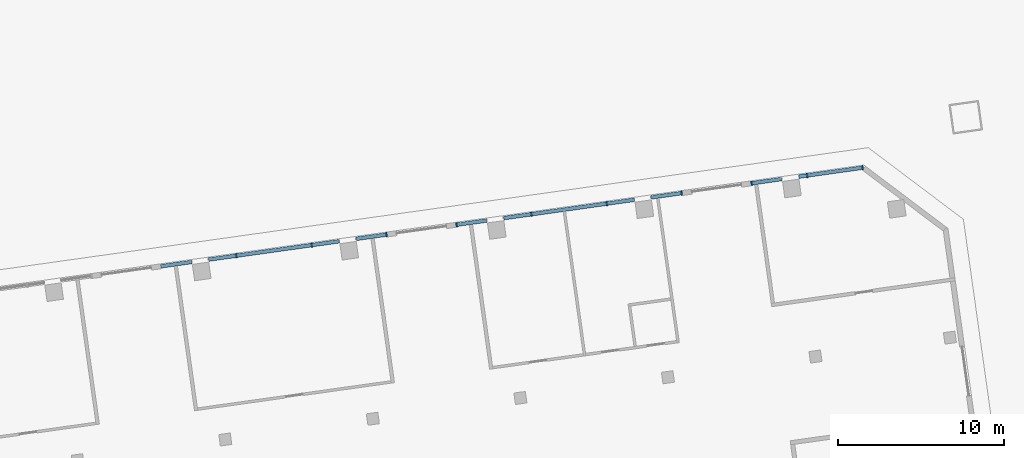
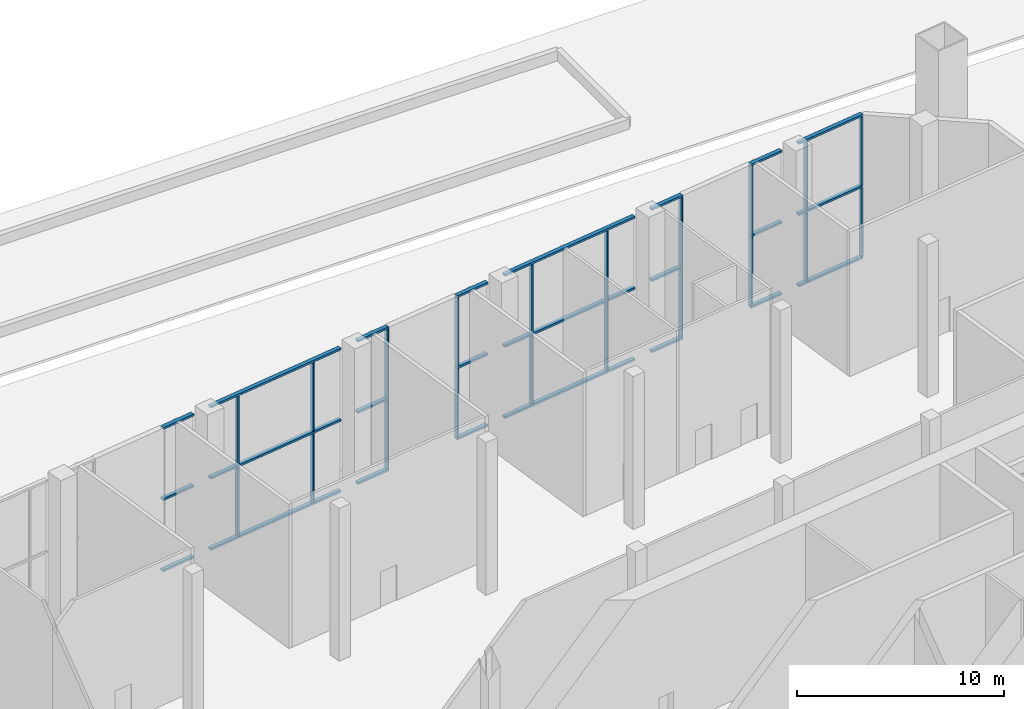
# One storey, part 7 of 34: 44 members, 3 elements without a shape of their own.
"""IFC4 building model written with IfcOpenShell, lengths in metres."""

from ifc_helpers import new_model, si_unit, direction, frame, origin, origin_2d, place, context, subcontext, project, spatial, rectangle, extrude, material, material_profile, profile_set, type_object, element, aggregate, save


model = new_model("IFC4")

# Units and contexts
model_context = context("Model", 3, precision=1e-05, world=origin(), true_north=direction((0.0, 1.0)))
body_context = subcontext(model_context, "Body", "Model", "MODEL_VIEW")
ifc_project = project(units=[si_unit("LENGTHUNIT", "METRE"), si_unit("AREAUNIT", "SQUARE_METRE"), si_unit("VOLUMEUNIT", "CUBIC_METRE"), si_unit("PLANEANGLEUNIT", "RADIAN"), si_unit("MASSUNIT", "GRAM", prefix="KILO")], contexts=[model_context])

# Site, building, storey
site_placement = place(None, origin())
site = spatial("IfcSite", under=ifc_project, at=site_placement, CompositionType="ELEMENT")
building_placement = place(site_placement, origin())
building = spatial("IfcBuilding", under=site, at=building_placement, Name="Mirante Cascada Hotel Towers", CompositionType="ELEMENT")
storey_placement = place(building_placement, origin())
storey = spatial("IfcBuildingStorey", under=building, at=storey_placement, Name="L00", CompositionType="ELEMENT", Elevation=0.0)

# Curtain wall, members
ifc_material_1 = material(Name="Aluminium mullion and transom frame with clear laminated glass", Category="aluminium")
curtain_wall_type = type_object("IfcCurtainWallType", Name="Podium curtain wall ECW3", PredefinedType="NOTDEFINED", material=ifc_material_1)
curtain_wall_1_placement = place(storey_placement, origin())
curtain_wall_1 = element("IfcCurtainWall", 1, at=curtain_wall_1_placement, inside=storey, type_object=curtain_wall_type, Name="Podium curtain wall L00 run front.1", PredefinedType="NOTDEFINED")
ifc_material_2 = material(Name="Anodised aluminium extrusion", Category="aluminium")
ifc_material_profile_1 = material_profile(ifc_material_2, rectangle(XDim=0.26, YDim=0.08, at=origin_2d()), Name="ECW3 MULLION 80x260")
ifc_profile_set_1 = profile_set([ifc_material_profile_1], Name="Anodised aluminium extrusion")
member_type_1 = type_object("IfcMemberType", Name="ECW3 mullion 80x260", PredefinedType="MULLION", material=ifc_profile_set_1)
member_1_placement = place(storey_placement, frame((94.1185, 26.0465, 0.12), z_axis=(0.0, 0.0, 1.0), x_axis=(0.1391731, -0.9902681, 0.0)))
member_1 = element("IfcMember", 2, at=member_1_placement, type_object=member_type_1, Name="ECW3 mullion 1", PredefinedType="MULLION", context=body_context, shape_type="SweptSolid", body=[
    extrude(rectangle(XDim=0.26, YDim=0.08, at=origin_2d()), origin(), (0.0, 0.0, 1.0), 4.07),
])
member_2_placement = place(storey_placement, frame((94.1185, 26.0465, 4.31), z_axis=(0.0, 0.0, 1.0), x_axis=(0.1391731, -0.9902681, 0.0)))
member_2 = element("IfcMember", 3, at=member_2_placement, type_object=member_type_1, Name="ECW3 mullion 1", PredefinedType="MULLION", context=body_context, shape_type="SweptSolid", body=[
    extrude(rectangle(XDim=0.26, YDim=0.08, at=origin_2d()), origin(), (0.0, 0.0, 1.0), 4.07),
])
member_3_placement = place(storey_placement, frame((90.7725, 25.5763, 0.12), z_axis=(0.0, 0.0, 1.0), x_axis=(0.1391731, -0.9902681, 0.0)))
member_3 = element("IfcMember", 4, at=member_3_placement, type_object=member_type_1, Name="ECW3 mullion 2", PredefinedType="MULLION", context=body_context, shape_type="SweptSolid", body=[
    extrude(rectangle(XDim=0.26, YDim=0.08, at=origin_2d()), origin(), (0.0, 0.0, 1.0), 4.07),
])
member_4_placement = place(storey_placement, frame((90.7725, 25.5763, 4.31), z_axis=(0.0, 0.0, 1.0), x_axis=(0.1391731, -0.9902681, 0.0)))
member_4 = element("IfcMember", 5, at=member_4_placement, type_object=member_type_1, Name="ECW3 mullion 2", PredefinedType="MULLION", context=body_context, shape_type="SweptSolid", body=[
    extrude(rectangle(XDim=0.26, YDim=0.08, at=origin_2d()), origin(), (0.0, 0.0, 1.0), 4.07),
])
member_5_placement = place(storey_placement, frame((87.4264, 25.106, 0.12), z_axis=(0.0, 0.0, 1.0), x_axis=(0.1391731, -0.9902681, 0.0)))
member_5 = element("IfcMember", 6, at=member_5_placement, type_object=member_type_1, Name="ECW3 mullion 3", PredefinedType="MULLION", context=body_context, shape_type="SweptSolid", body=[
    extrude(rectangle(XDim=0.26, YDim=0.08, at=origin_2d()), origin(), (0.0, 0.0, 1.0), 4.07),
])
member_6_placement = place(storey_placement, frame((87.4264, 25.106, 4.31), z_axis=(0.0, 0.0, 1.0), x_axis=(0.1391731, -0.9902681, 0.0)))
member_6 = element("IfcMember", 7, at=member_6_placement, type_object=member_type_1, Name="ECW3 mullion 3", PredefinedType="MULLION", context=body_context, shape_type="SweptSolid", body=[
    extrude(rectangle(XDim=0.26, YDim=0.08, at=origin_2d()), origin(), (0.0, 0.0, 1.0), 4.07),
])

curtain_wall_2_placement = place(storey_placement, origin())
curtain_wall_2 = element("IfcCurtainWall", 8, at=curtain_wall_2_placement, inside=storey, type_object=curtain_wall_type, Name="Podium curtain wall L00 run front.3", PredefinedType="NOTDEFINED")
member_7_placement = place(storey_placement, frame((83.1881, 24.5103, 0.12), z_axis=(0.0, 0.0, 1.0), x_axis=(0.1391731, -0.9902681, 0.0)))
member_7 = element("IfcMember", 9, at=member_7_placement, type_object=member_type_1, Name="ECW3 mullion 1", PredefinedType="MULLION", context=body_context, shape_type="SweptSolid", body=[
    extrude(rectangle(XDim=0.26, YDim=0.08, at=origin_2d()), origin(), (0.0, 0.0, 1.0), 4.07),
])
member_8_placement = place(storey_placement, frame((83.1881, 24.5103, 4.31), z_axis=(0.0, 0.0, 1.0), x_axis=(0.1391731, -0.9902681, 0.0)))
member_8 = element("IfcMember", 10, at=member_8_placement, type_object=member_type_1, Name="ECW3 mullion 1", PredefinedType="MULLION", context=body_context, shape_type="SweptSolid", body=[
    extrude(rectangle(XDim=0.26, YDim=0.08, at=origin_2d()), origin(), (0.0, 0.0, 1.0), 4.07),
])
member_9_placement = place(storey_placement, frame((78.6725, 23.8757, 0.12), z_axis=(0.0, 0.0, 1.0), x_axis=(0.1391731, -0.9902681, 0.0)))
member_9 = element("IfcMember", 11, at=member_9_placement, type_object=member_type_1, Name="ECW3 mullion 2", PredefinedType="MULLION", context=body_context, shape_type="SweptSolid", body=[
    extrude(rectangle(XDim=0.26, YDim=0.08, at=origin_2d()), origin(), (0.0, 0.0, 1.0), 4.07),
])
member_10_placement = place(storey_placement, frame((78.6725, 23.8757, 4.31), z_axis=(0.0, 0.0, 1.0), x_axis=(0.1391731, -0.9902681, 0.0)))
member_10 = element("IfcMember", 12, at=member_10_placement, type_object=member_type_1, Name="ECW3 mullion 2", PredefinedType="MULLION", context=body_context, shape_type="SweptSolid", body=[
    extrude(rectangle(XDim=0.26, YDim=0.08, at=origin_2d()), origin(), (0.0, 0.0, 1.0), 4.07),
])
member_11_placement = place(storey_placement, frame((74.1172, 23.2355, 0.12), z_axis=(0.0, 0.0, 1.0), x_axis=(0.1391731, -0.9902681, 0.0)))
member_11 = element("IfcMember", 13, at=member_11_placement, type_object=member_type_1, Name="ECW3 mullion 3", PredefinedType="MULLION", context=body_context, shape_type="SweptSolid", body=[
    extrude(rectangle(XDim=0.26, YDim=0.08, at=origin_2d()), origin(), (0.0, 0.0, 1.0), 4.07),
])
member_12_placement = place(storey_placement, frame((74.1172, 23.2355, 4.31), z_axis=(0.0, 0.0, 1.0), x_axis=(0.1391731, -0.9902681, 0.0)))
member_12 = element("IfcMember", 14, at=member_12_placement, type_object=member_type_1, Name="ECW3 mullion 3", PredefinedType="MULLION", context=body_context, shape_type="SweptSolid", body=[
    extrude(rectangle(XDim=0.26, YDim=0.08, at=origin_2d()), origin(), (0.0, 0.0, 1.0), 4.07),
])
member_13_placement = place(storey_placement, frame((69.6016, 22.6009, 0.12), z_axis=(0.0, 0.0, 1.0), x_axis=(0.1391731, -0.9902681, 0.0)))
member_13 = element("IfcMember", 15, at=member_13_placement, type_object=member_type_1, Name="ECW3 mullion 4", PredefinedType="MULLION", context=body_context, shape_type="SweptSolid", body=[
    extrude(rectangle(XDim=0.26, YDim=0.08, at=origin_2d()), origin(), (0.0, 0.0, 1.0), 4.07),
])
member_14_placement = place(storey_placement, frame((69.6016, 22.6009, 4.31), z_axis=(0.0, 0.0, 1.0), x_axis=(0.1391731, -0.9902681, 0.0)))
member_14 = element("IfcMember", 16, at=member_14_placement, type_object=member_type_1, Name="ECW3 mullion 4", PredefinedType="MULLION", context=body_context, shape_type="SweptSolid", body=[
    extrude(rectangle(XDim=0.26, YDim=0.08, at=origin_2d()), origin(), (0.0, 0.0, 1.0), 4.07),
])

curtain_wall_3_placement = place(storey_placement, origin())
curtain_wall_3 = element("IfcCurtainWall", 17, at=curtain_wall_3_placement, inside=storey, type_object=curtain_wall_type, Name="Podium curtain wall L00 run front.5", PredefinedType="NOTDEFINED")
member_15_placement = place(storey_placement, frame((65.3633, 22.0052, 0.12), z_axis=(0.0, 0.0, 1.0), x_axis=(0.1391731, -0.9902681, 0.0)))
member_15 = element("IfcMember", 18, at=member_15_placement, type_object=member_type_1, Name="ECW3 mullion 1", PredefinedType="MULLION", context=body_context, shape_type="SweptSolid", body=[
    extrude(rectangle(XDim=0.26, YDim=0.08, at=origin_2d()), origin(), (0.0, 0.0, 1.0), 4.07),
])
member_16_placement = place(storey_placement, frame((65.3633, 22.0052, 4.31), z_axis=(0.0, 0.0, 1.0), x_axis=(0.1391731, -0.9902681, 0.0)))
member_16 = element("IfcMember", 19, at=member_16_placement, type_object=member_type_1, Name="ECW3 mullion 1", PredefinedType="MULLION", context=body_context, shape_type="SweptSolid", body=[
    extrude(rectangle(XDim=0.26, YDim=0.08, at=origin_2d()), origin(), (0.0, 0.0, 1.0), 4.07),
])
member_17_placement = place(storey_placement, frame((60.8476, 21.3706, 0.12), z_axis=(0.0, 0.0, 1.0), x_axis=(0.1391731, -0.9902681, 0.0)))
member_17 = element("IfcMember", 20, at=member_17_placement, type_object=member_type_1, Name="ECW3 mullion 2", PredefinedType="MULLION", context=body_context, shape_type="SweptSolid", body=[
    extrude(rectangle(XDim=0.26, YDim=0.08, at=origin_2d()), origin(), (0.0, 0.0, 1.0), 4.07),
])
member_18_placement = place(storey_placement, frame((60.8476, 21.3706, 4.31), z_axis=(0.0, 0.0, 1.0), x_axis=(0.1391731, -0.9902681, 0.0)))
member_18 = element("IfcMember", 21, at=member_18_placement, type_object=member_type_1, Name="ECW3 mullion 2", PredefinedType="MULLION", context=body_context, shape_type="SweptSolid", body=[
    extrude(rectangle(XDim=0.26, YDim=0.08, at=origin_2d()), origin(), (0.0, 0.0, 1.0), 4.07),
])
member_19_placement = place(storey_placement, frame((56.2924, 20.7304, 0.12), z_axis=(0.0, 0.0, 1.0), x_axis=(0.1391731, -0.9902681, 0.0)))
member_19 = element("IfcMember", 22, at=member_19_placement, type_object=member_type_1, Name="ECW3 mullion 3", PredefinedType="MULLION", context=body_context, shape_type="SweptSolid", body=[
    extrude(rectangle(XDim=0.26, YDim=0.08, at=origin_2d()), origin(), (0.0, 0.0, 1.0), 4.07),
])
member_20_placement = place(storey_placement, frame((56.2924, 20.7304, 4.31), z_axis=(0.0, 0.0, 1.0), x_axis=(0.1391731, -0.9902681, 0.0)))
member_20 = element("IfcMember", 23, at=member_20_placement, type_object=member_type_1, Name="ECW3 mullion 3", PredefinedType="MULLION", context=body_context, shape_type="SweptSolid", body=[
    extrude(rectangle(XDim=0.26, YDim=0.08, at=origin_2d()), origin(), (0.0, 0.0, 1.0), 4.07),
])

# Member
ifc_material_3 = material(Name="Anodised aluminium extrusion", Category="aluminium")
ifc_material_profile_2 = material_profile(ifc_material_3, rectangle(XDim=0.22, YDim=0.12, at=origin_2d()), Name="ECW3 TRANSOM 120x220")
ifc_profile_set_2 = profile_set([ifc_material_profile_2], Name="Anodised aluminium extrusion")
member_type_2 = type_object("IfcMemberType", Name="ECW3 transom 120x220", PredefinedType="USERDEFINED", material=ifc_profile_set_2)
member_21_placement = place(storey_placement, frame((94.1582, 26.0521, 0.06), z_axis=(-0.990267, -0.1391805, 0.0), x_axis=(0.1391805, -0.990267, 0.0)))
member_21 = element("IfcMember", 24, at=member_21_placement, type_object=member_type_2, Name="ECW3 sill transom", ObjectType="TRANSOM", PredefinedType="USERDEFINED", context=body_context, shape_type="SweptSolid", body=[
    extrude(rectangle(XDim=0.22, YDim=0.12, at=origin_2d()), origin(), (0.0, 0.0, 1.0), 3.9179),
])

member_22_placement = place(storey_placement, frame((89.2485, 25.3621, 0.06), z_axis=(-0.990264, -0.1392019, 0.0), x_axis=(0.1392019, -0.990264, 0.0)))
member_22 = element("IfcMember", 25, at=member_22_placement, type_object=member_type_2, Name="ECW3 sill transom", ObjectType="TRANSOM", PredefinedType="USERDEFINED", context=body_context, shape_type="SweptSolid", body=[
    extrude(rectangle(XDim=0.22, YDim=0.12, at=origin_2d()), origin(), (0.0, 0.0, 1.0), 1.88),
])

member_23_placement = place(storey_placement, frame((94.1582, 26.0521, 4.25), z_axis=(-0.990267, -0.1391805, 0.0), x_axis=(0.1391805, -0.990267, 0.0)))
member_23 = element("IfcMember", 26, at=member_23_placement, type_object=member_type_2, Name="ECW3 intermediate transom", ObjectType="TRANSOM", PredefinedType="USERDEFINED", context=body_context, shape_type="SweptSolid", body=[
    extrude(rectangle(XDim=0.22, YDim=0.12, at=origin_2d()), origin(), (0.0, 0.0, 1.0), 3.9179),
])

member_24_placement = place(storey_placement, frame((89.2485, 25.3621, 4.25), z_axis=(-0.990264, -0.1392019, 0.0), x_axis=(0.1392019, -0.990264, 0.0)))
member_24 = element("IfcMember", 27, at=member_24_placement, type_object=member_type_2, Name="ECW3 intermediate transom", ObjectType="TRANSOM", PredefinedType="USERDEFINED", context=body_context, shape_type="SweptSolid", body=[
    extrude(rectangle(XDim=0.22, YDim=0.12, at=origin_2d()), origin(), (0.0, 0.0, 1.0), 1.88),
])

member_25_placement = place(storey_placement, frame((94.1582, 26.0521, 8.44), z_axis=(-0.990267, -0.1391805, 0.0), x_axis=(0.1391805, -0.990267, 0.0)))
member_25 = element("IfcMember", 28, at=member_25_placement, type_object=member_type_2, Name="ECW3 head transom", ObjectType="TRANSOM", PredefinedType="USERDEFINED", context=body_context, shape_type="SweptSolid", body=[
    extrude(rectangle(XDim=0.22, YDim=0.12, at=origin_2d()), origin(), (0.0, 0.0, 1.0), 3.9179),
])

member_26_placement = place(storey_placement, frame((89.2485, 25.3621, 8.44), z_axis=(-0.990264, -0.1392019, 0.0), x_axis=(0.1392019, -0.990264, 0.0)))
member_26 = element("IfcMember", 29, at=member_26_placement, type_object=member_type_2, Name="ECW3 head transom", ObjectType="TRANSOM", PredefinedType="USERDEFINED", context=body_context, shape_type="SweptSolid", body=[
    extrude(rectangle(XDim=0.22, YDim=0.12, at=origin_2d()), origin(), (0.0, 0.0, 1.0), 1.88),
])

aggregate(curtain_wall_1, [member_21, member_22, member_23, member_24, member_25, member_26, member_1, member_2, member_3, member_4, member_5, member_6])

member_27_placement = place(storey_placement, frame((83.2277, 24.5159, 0.06), z_axis=(-0.9902714, -0.1391497, 0.0), x_axis=(0.1391497, -0.9902714, 0.0)))
member_27 = element("IfcMember", 30, at=member_27_placement, type_object=member_type_2, Name="ECW3 sill transom", ObjectType="TRANSOM", PredefinedType="USERDEFINED", context=body_context, shape_type="SweptSolid", body=[
    extrude(rectangle(XDim=0.22, YDim=0.12, at=origin_2d()), origin(), (0.0, 0.0, 1.0), 1.88),
])

member_28_placement = place(storey_placement, frame((80.3361, 24.1095, 0.06), z_axis=(-0.9902683, -0.1391715, 0.0), x_axis=(0.1391715, -0.9902683, 0.0)))
member_28 = element("IfcMember", 31, at=member_28_placement, type_object=member_type_2, Name="ECW3 sill transom", ObjectType="TRANSOM", PredefinedType="USERDEFINED", context=body_context, shape_type="SweptSolid", body=[
    extrude(rectangle(XDim=0.22, YDim=0.12, at=origin_2d()), origin(), (0.0, 0.0, 1.0), 7.96),
])

member_29_placement = place(storey_placement, frame((71.4237, 22.857, 0.06), z_axis=(-0.990264, -0.1392019, 0.0), x_axis=(0.1392019, -0.990264, 0.0)))
member_29 = element("IfcMember", 32, at=member_29_placement, type_object=member_type_2, Name="ECW3 sill transom", ObjectType="TRANSOM", PredefinedType="USERDEFINED", context=body_context, shape_type="SweptSolid", body=[
    extrude(rectangle(XDim=0.22, YDim=0.12, at=origin_2d()), origin(), (0.0, 0.0, 1.0), 1.88),
])

member_30_placement = place(storey_placement, frame((83.2277, 24.5159, 4.25), z_axis=(-0.9902714, -0.1391497, 0.0), x_axis=(0.1391497, -0.9902714, 0.0)))
member_30 = element("IfcMember", 33, at=member_30_placement, type_object=member_type_2, Name="ECW3 intermediate transom", ObjectType="TRANSOM", PredefinedType="USERDEFINED", context=body_context, shape_type="SweptSolid", body=[
    extrude(rectangle(XDim=0.22, YDim=0.12, at=origin_2d()), origin(), (0.0, 0.0, 1.0), 1.88),
])

member_31_placement = place(storey_placement, frame((80.3361, 24.1095, 4.25), z_axis=(-0.9902683, -0.1391715, 0.0), x_axis=(0.1391715, -0.9902683, 0.0)))
member_31 = element("IfcMember", 34, at=member_31_placement, type_object=member_type_2, Name="ECW3 intermediate transom", ObjectType="TRANSOM", PredefinedType="USERDEFINED", context=body_context, shape_type="SweptSolid", body=[
    extrude(rectangle(XDim=0.22, YDim=0.12, at=origin_2d()), origin(), (0.0, 0.0, 1.0), 7.96),
])

member_32_placement = place(storey_placement, frame((71.4237, 22.857, 4.25), z_axis=(-0.990264, -0.1392019, 0.0), x_axis=(0.1392019, -0.990264, 0.0)))
member_32 = element("IfcMember", 35, at=member_32_placement, type_object=member_type_2, Name="ECW3 intermediate transom", ObjectType="TRANSOM", PredefinedType="USERDEFINED", context=body_context, shape_type="SweptSolid", body=[
    extrude(rectangle(XDim=0.22, YDim=0.12, at=origin_2d()), origin(), (0.0, 0.0, 1.0), 1.88),
])

member_33_placement = place(storey_placement, frame((83.2277, 24.5159, 8.44), z_axis=(-0.9902714, -0.1391497, 0.0), x_axis=(0.1391497, -0.9902714, 0.0)))
member_33 = element("IfcMember", 36, at=member_33_placement, type_object=member_type_2, Name="ECW3 head transom", ObjectType="TRANSOM", PredefinedType="USERDEFINED", context=body_context, shape_type="SweptSolid", body=[
    extrude(rectangle(XDim=0.22, YDim=0.12, at=origin_2d()), origin(), (0.0, 0.0, 1.0), 1.88),
])

member_34_placement = place(storey_placement, frame((80.3361, 24.1095, 8.44), z_axis=(-0.9902683, -0.1391715, 0.0), x_axis=(0.1391715, -0.9902683, 0.0)))
member_34 = element("IfcMember", 37, at=member_34_placement, type_object=member_type_2, Name="ECW3 head transom", ObjectType="TRANSOM", PredefinedType="USERDEFINED", context=body_context, shape_type="SweptSolid", body=[
    extrude(rectangle(XDim=0.22, YDim=0.12, at=origin_2d()), origin(), (0.0, 0.0, 1.0), 7.96),
])

member_35_placement = place(storey_placement, frame((71.4237, 22.857, 8.44), z_axis=(-0.990264, -0.1392019, 0.0), x_axis=(0.1392019, -0.990264, 0.0)))
member_35 = element("IfcMember", 38, at=member_35_placement, type_object=member_type_2, Name="ECW3 head transom", ObjectType="TRANSOM", PredefinedType="USERDEFINED", context=body_context, shape_type="SweptSolid", body=[
    extrude(rectangle(XDim=0.22, YDim=0.12, at=origin_2d()), origin(), (0.0, 0.0, 1.0), 1.88),
])

aggregate(curtain_wall_2, [member_27, member_28, member_29, member_30, member_31, member_32, member_33, member_34, member_35, member_7, member_8, member_9, member_10, member_11, member_12, member_13, member_14])

member_36_placement = place(storey_placement, frame((65.4029, 22.0108, 0.06), z_axis=(-0.9902714, -0.1391497, 0.0), x_axis=(0.1391497, -0.9902714, 0.0)))
member_36 = element("IfcMember", 39, at=member_36_placement, type_object=member_type_2, Name="ECW3 sill transom", ObjectType="TRANSOM", PredefinedType="USERDEFINED", context=body_context, shape_type="SweptSolid", body=[
    extrude(rectangle(XDim=0.22, YDim=0.12, at=origin_2d()), origin(), (0.0, 0.0, 1.0), 1.88),
])

member_37_placement = place(storey_placement, frame((62.5113, 21.6044, 0.06), z_axis=(-0.9902683, -0.1391715, 0.0), x_axis=(0.1391715, -0.9902683, 0.0)))
member_37 = element("IfcMember", 40, at=member_37_placement, type_object=member_type_2, Name="ECW3 sill transom", ObjectType="TRANSOM", PredefinedType="USERDEFINED", context=body_context, shape_type="SweptSolid", body=[
    extrude(rectangle(XDim=0.22, YDim=0.12, at=origin_2d()), origin(), (0.0, 0.0, 1.0), 7.96),
])

member_38_placement = place(storey_placement, frame((53.5989, 20.3519, 0.06), z_axis=(-0.990264, -0.1392019, 0.0), x_axis=(0.1392019, -0.990264, 0.0)))
member_38 = element("IfcMember", 41, at=member_38_placement, type_object=member_type_2, Name="ECW3 sill transom", ObjectType="TRANSOM", PredefinedType="USERDEFINED", context=body_context, shape_type="SweptSolid", body=[
    extrude(rectangle(XDim=0.22, YDim=0.12, at=origin_2d()), origin(), (0.0, 0.0, 1.0), 1.88),
])

member_39_placement = place(storey_placement, frame((65.4029, 22.0108, 4.25), z_axis=(-0.9902714, -0.1391497, 0.0), x_axis=(0.1391497, -0.9902714, 0.0)))
member_39 = element("IfcMember", 42, at=member_39_placement, type_object=member_type_2, Name="ECW3 intermediate transom", ObjectType="TRANSOM", PredefinedType="USERDEFINED", context=body_context, shape_type="SweptSolid", body=[
    extrude(rectangle(XDim=0.22, YDim=0.12, at=origin_2d()), origin(), (0.0, 0.0, 1.0), 1.88),
])

member_40_placement = place(storey_placement, frame((62.5113, 21.6044, 4.25), z_axis=(-0.9902683, -0.1391715, 0.0), x_axis=(0.1391715, -0.9902683, 0.0)))
member_40 = element("IfcMember", 43, at=member_40_placement, type_object=member_type_2, Name="ECW3 intermediate transom", ObjectType="TRANSOM", PredefinedType="USERDEFINED", context=body_context, shape_type="SweptSolid", body=[
    extrude(rectangle(XDim=0.22, YDim=0.12, at=origin_2d()), origin(), (0.0, 0.0, 1.0), 7.96),
])

member_41_placement = place(storey_placement, frame((53.5989, 20.3519, 4.25), z_axis=(-0.990264, -0.1392019, 0.0), x_axis=(0.1392019, -0.990264, 0.0)))
member_41 = element("IfcMember", 44, at=member_41_placement, type_object=member_type_2, Name="ECW3 intermediate transom", ObjectType="TRANSOM", PredefinedType="USERDEFINED", context=body_context, shape_type="SweptSolid", body=[
    extrude(rectangle(XDim=0.22, YDim=0.12, at=origin_2d()), origin(), (0.0, 0.0, 1.0), 1.88),
])

member_42_placement = place(storey_placement, frame((65.4029, 22.0108, 8.44), z_axis=(-0.9902714, -0.1391497, 0.0), x_axis=(0.1391497, -0.9902714, 0.0)))
member_42 = element("IfcMember", 45, at=member_42_placement, type_object=member_type_2, Name="ECW3 head transom", ObjectType="TRANSOM", PredefinedType="USERDEFINED", context=body_context, shape_type="SweptSolid", body=[
    extrude(rectangle(XDim=0.22, YDim=0.12, at=origin_2d()), origin(), (0.0, 0.0, 1.0), 1.88),
])

member_43_placement = place(storey_placement, frame((62.5113, 21.6044, 8.44), z_axis=(-0.9902683, -0.1391715, 0.0), x_axis=(0.1391715, -0.9902683, 0.0)))
member_43 = element("IfcMember", 46, at=member_43_placement, type_object=member_type_2, Name="ECW3 head transom", ObjectType="TRANSOM", PredefinedType="USERDEFINED", context=body_context, shape_type="SweptSolid", body=[
    extrude(rectangle(XDim=0.22, YDim=0.12, at=origin_2d()), origin(), (0.0, 0.0, 1.0), 7.96),
])

member_44_placement = place(storey_placement, frame((53.5989, 20.3519, 8.44), z_axis=(-0.990264, -0.1392019, 0.0), x_axis=(0.1392019, -0.990264, 0.0)))
member_44 = element("IfcMember", 47, at=member_44_placement, type_object=member_type_2, Name="ECW3 head transom", ObjectType="TRANSOM", PredefinedType="USERDEFINED", context=body_context, shape_type="SweptSolid", body=[
    extrude(rectangle(XDim=0.22, YDim=0.12, at=origin_2d()), origin(), (0.0, 0.0, 1.0), 1.88),
])

aggregate(curtain_wall_3, [member_36, member_37, member_38, member_39, member_40, member_41, member_42, member_43, member_44, member_15, member_16, member_17, member_18, member_19, member_20])

save(model, "model.ifc")
